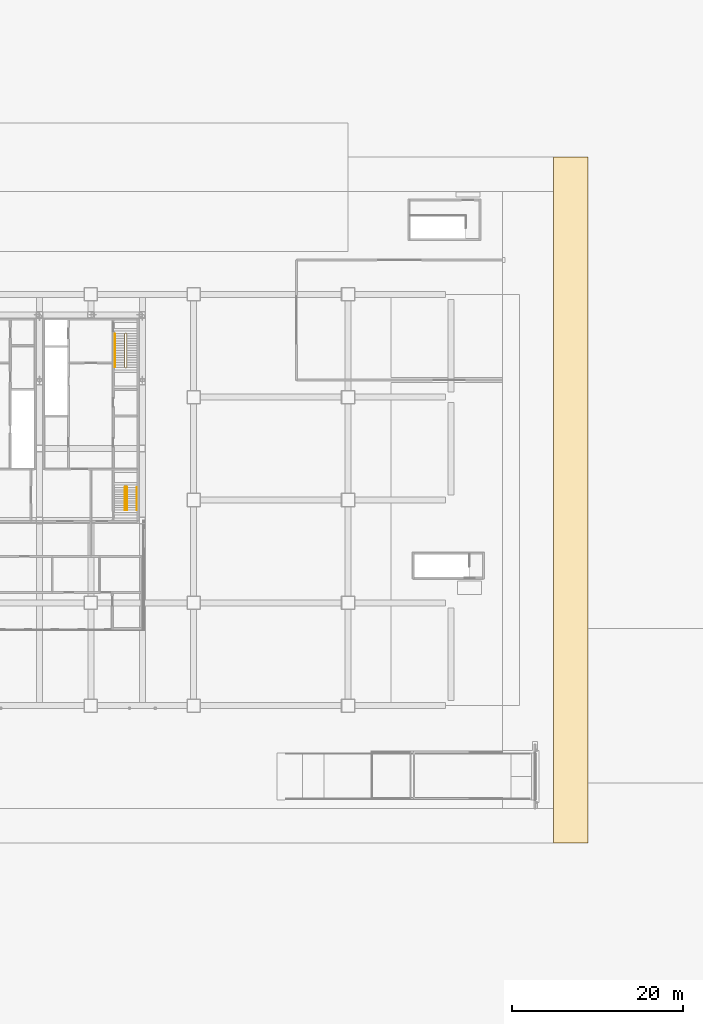
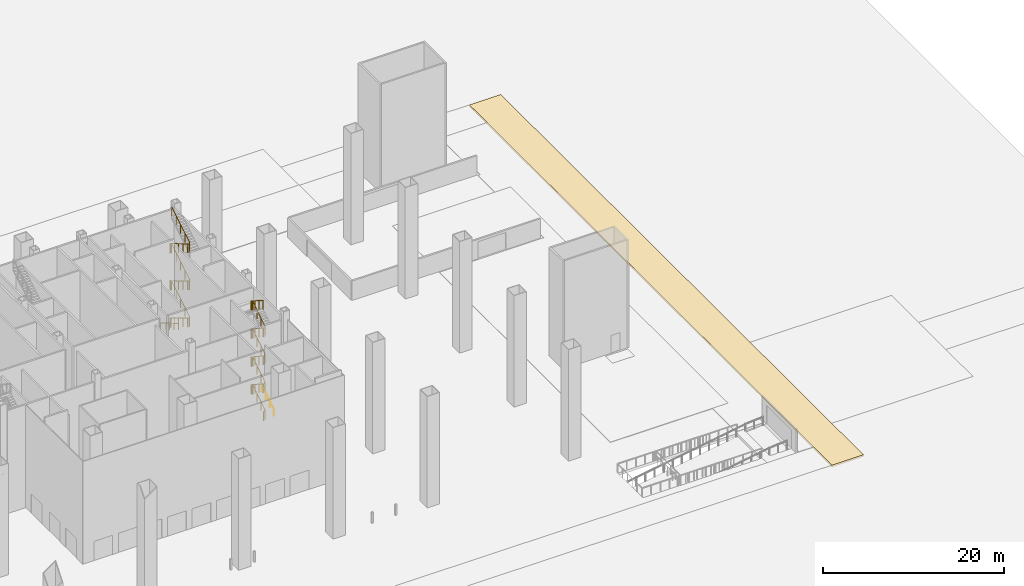
# One storey, part 19 of 22: 7 railings, 1 covering.
"""IFC4 building model written with IfcOpenShell, lengths in metres."""

from ifc_helpers import new_model, si_unit, direction, frame, origin, origin_2d, place, context, subcontext, project, spatial, polyline, circle, outline, extrude, material, layer, layer_set, type_object, element, save


model = new_model("IFC4")

# Units and contexts
model_context = context("Model", 3, precision=1e-05, world=origin(), true_north=direction((0.0, 1.0)))
body_context = subcontext(model_context, "Body", "Model", "MODEL_VIEW")
ifc_project = project(units=[si_unit("LENGTHUNIT", "METRE"), si_unit("AREAUNIT", "SQUARE_METRE"), si_unit("VOLUMEUNIT", "CUBIC_METRE"), si_unit("PLANEANGLEUNIT", "RADIAN"), si_unit("MASSUNIT", "GRAM", prefix="KILO")], contexts=[model_context])

# Site, building, storey
site_placement = place(None, origin())
site = spatial("IfcSite", under=ifc_project, at=site_placement, CompositionType="ELEMENT")
building_placement = place(site_placement, origin())
building = spatial("IfcBuilding", under=site, at=building_placement, Name="Sorahane Residences", CompositionType="ELEMENT")
storey_placement = place(building_placement, origin())
storey = spatial("IfcBuildingStorey", under=building, at=storey_placement, Name="L00", CompositionType="ELEMENT", Elevation=0.0)

# Covering
ifc_material_1 = material(Name="Concrete paving on compacted granular sub-base", Category="concrete")
ifc_layer = layer(ifc_material_1, 0.25)
ifc_layer_set = layer_set([ifc_layer], Name="Fire lane paving concrete 250")
covering_type = type_object("IfcCoveringType", Name="Fire lane paving concrete 250", PredefinedType="USERDEFINED", material=ifc_layer_set)
covering_placement = place(storey_placement, frame((0.0, 0.0, -0.25)))
element("IfcCovering", 1, at=covering_placement, inside=storey, type_object=covering_type, Name="Fire lane east", ObjectType="PAVING", PredefinedType="USERDEFINED", context=body_context, shape_type="SweptSolid", body=[
    extrude(outline(polyline([(94.0, -16.0), (94.0, 64.0), (90.0, 64.0), (90.0, -16.0), (94.0, -16.0)])), origin(), (0.0, 0.0, 1.0), 0.25),
])

# Railings
ifc_material_2 = material(Name="Steel Q355B", Category="steel")
railing_type_1 = type_object("IfcRailingType", Name="Stair guard 1200 Steel Q355B", PredefinedType="GUARDRAIL", material=ifc_material_2)
railing_1_placement = place(storey_placement, frame((40.14990234375, 43.449951171875, 0.0)))
element("IfcRailing", 2, at=railing_1_placement, inside=storey, type_object=railing_type_1, Name="L00 S2 stair guard 1", PredefinedType="GUARDRAIL", context=body_context, shape_type="SweptSolid", body=[
    extrude(circle(Radius=0.02392578125, at=origin_2d()), frame((0.0, 0.0, 1.17578125), z_axis=(-1.0, 0.0, 0.0), x_axis=(0.0, -1.0, 0.0)), (0.0, 0.0, 1.0), 0.14990234375),
    extrude(circle(Radius=0.02392578125, at=origin_2d()), frame((-0.14990234375, 0.0, 1.17578125), z_axis=(-0.27628659633, -0.27628659633, 0.920506074601), x_axis=(0.707106781187, -0.707106781187, 0.0)), (0.0, 0.0, 1.0), 0.18115234375),
    extrude(circle(Radius=0.02392578125, at=origin_2d()), frame((-0.199951171875, -0.050048828125, 1.3427734375), z_axis=(0.0, -0.859296244711, 0.511478214419), x_axis=(1.0, 0.0, 0.0)), (0.0, 0.0, 1.0), 4.561767578125),
    extrude(circle(Radius=0.02392578125, at=origin_2d()), frame((-0.199951171875, -3.969970703125, 3.67578125), z_axis=(0.707106781187, -0.707106781187, 0.0), x_axis=(0.707106781187, 0.707106781187, 0.0)), (0.0, 0.0, 1.0), 0.07080078125),
    extrude(circle(Radius=0.02392578125, at=origin_2d()), frame((-0.14990234375, -4.02001953125, 3.67578125), z_axis=(1.0, 0.0, 0.0), x_axis=(0.0, 1.0, 0.0)), (0.0, 0.0, 1.0), 0.14990234375),
    extrude(circle(Radius=0.02392578125, at=origin_2d()), frame((0.0, -4.02001953125, 3.67578125), z_axis=(0.27628659633, 0.27628659633, 0.920506074601), x_axis=(-0.707106781187, 0.707106781187, 0.0)), (0.0, 0.0, 1.0), 0.18115234375),
    extrude(circle(Radius=0.02392578125, at=origin_2d()), frame((0.050048828125, -3.969970703125, 3.8427734375), z_axis=(0.0, 0.859296244711, 0.511478214419), x_axis=(-1.0, 0.0, 0.0)), (0.0, 0.0, 1.0), 4.561767578125),
    extrude(circle(Radius=0.02392578125, at=origin_2d()), frame((0.050048828125, -0.050048828125, 6.17578125), z_axis=(-0.707106781187, 0.707106781187, 0.0), x_axis=(-0.707106781187, -0.707106781187, 0.0)), (0.0, 0.0, 1.0), 0.07080078125),
    extrude(circle(Radius=0.02392578125, at=origin_2d()), frame((0.0, 0.0, 6.17578125), z_axis=(-1.0, 0.0, 0.0), x_axis=(0.0, -1.0, 0.0)), (0.0, 0.0, 1.0), 0.14990234375),
    extrude(circle(Radius=0.02392578125, at=origin_2d()), frame((-0.14990234375, 0.0, 6.17578125), z_axis=(-0.27628659633, -0.27628659633, 0.920506074601), x_axis=(0.707106781187, -0.707106781187, 0.0)), (0.0, 0.0, 1.0), 0.18115234375),
    extrude(circle(Radius=0.02392578125, at=origin_2d()), frame((-0.199951171875, -0.050048828125, 6.3427734375), z_axis=(0.0, -0.859296244711, 0.511478214419), x_axis=(1.0, 0.0, 0.0)), (0.0, 0.0, 1.0), 4.561767578125),
    extrude(circle(Radius=0.02392578125, at=origin_2d()), frame((-0.199951171875, -3.969970703125, 8.67578125), z_axis=(0.707106781187, -0.707106781187, 0.0), x_axis=(0.707106781187, 0.707106781187, 0.0)), (0.0, 0.0, 1.0), 0.07080078125),
    extrude(circle(Radius=0.02392578125, at=origin_2d()), frame((-0.14990234375, -4.02001953125, 8.67578125), z_axis=(1.0, 0.0, 0.0), x_axis=(0.0, 1.0, 0.0)), (0.0, 0.0, 1.0), 0.14990234375),
    extrude(circle(Radius=0.02392578125, at=origin_2d()), frame((0.0, -4.02001953125, 8.67578125), z_axis=(0.27628659633, 0.27628659633, 0.920506074601), x_axis=(-0.707106781187, 0.707106781187, 0.0)), (0.0, 0.0, 1.0), 0.18115234375),
    extrude(circle(Radius=0.02392578125, at=origin_2d()), frame((0.050048828125, -3.969970703125, 8.8427734375), z_axis=(0.0, 0.859296244711, 0.511478214419), x_axis=(-1.0, 0.0, 0.0)), (0.0, 0.0, 1.0), 4.561767578125),
    extrude(circle(Radius=0.02392578125, at=origin_2d()), frame((0.050048828125, -0.050048828125, 11.17578125), z_axis=(-0.707106781187, 0.707106781187, 0.0), x_axis=(-0.707106781187, -0.707106781187, 0.0)), (0.0, 0.0, 1.0), 0.07080078125),
    extrude(circle(Radius=0.02392578125, at=origin_2d()), frame((0.0, 0.0, 11.17578125), z_axis=(-1.0, 0.0, 0.0), x_axis=(0.0, -1.0, 0.0)), (0.0, 0.0, 1.0), 0.14990234375),
    extrude(circle(Radius=0.02392578125, at=origin_2d()), frame((-0.14990234375, 0.0, 11.17578125), z_axis=(-0.27628659633, -0.27628659633, 0.920506074601), x_axis=(0.707106781187, -0.707106781187, 0.0)), (0.0, 0.0, 1.0), 0.18115234375),
    extrude(circle(Radius=0.02392578125, at=origin_2d()), frame((-0.199951171875, -0.050048828125, 11.3427734375), z_axis=(0.0, -0.859296244711, 0.511478214419), x_axis=(1.0, 0.0, 0.0)), (0.0, 0.0, 1.0), 4.561767578125),
    extrude(circle(Radius=0.02392578125, at=origin_2d()), frame((-0.199951171875, -3.969970703125, 13.67578125), z_axis=(0.707106781187, -0.707106781187, 0.0), x_axis=(0.707106781187, 0.707106781187, 0.0)), (0.0, 0.0, 1.0), 0.07080078125),
    extrude(circle(Radius=0.02392578125, at=origin_2d()), frame((-0.14990234375, -4.02001953125, 13.67578125), z_axis=(1.0, 0.0, 0.0), x_axis=(0.0, 1.0, 0.0)), (0.0, 0.0, 1.0), 0.14990234375),
    extrude(circle(Radius=0.02392578125, at=origin_2d()), frame((0.0, -4.02001953125, 13.67578125), z_axis=(0.27628659633, 0.27628659633, 0.920506074601), x_axis=(-0.707106781187, 0.707106781187, 0.0)), (0.0, 0.0, 1.0), 0.18115234375),
    extrude(circle(Radius=0.02392578125, at=origin_2d()), frame((0.050048828125, -3.969970703125, 13.8427734375), z_axis=(0.0, 0.859296244711, 0.511478214419), x_axis=(-1.0, 0.0, 0.0)), (0.0, 0.0, 1.0), 4.561767578125),
    extrude(circle(Radius=0.02099609375, at=origin_2d()), origin(), (0.0, 0.0, 1.0), 1.15185546875),
    extrude(circle(Radius=0.02099609375, at=origin_2d()), frame((-0.14990234375, 0.0, 0.0)), (0.0, 0.0, 1.0), 1.15185546875),
    extrude(circle(Radius=0.02099609375, at=origin_2d()), frame((-0.199951171875, -0.050048828125, 0.166748046875)), (0.0, 0.0, 1.0), 1.15185546875),
    extrude(circle(Radius=0.02099609375, at=origin_2d()), frame((-0.199951171875, -1.030029296875, 0.75)), (0.0, 0.0, 1.0), 1.15185546875),
    extrude(circle(Radius=0.02099609375, at=origin_2d()), frame((-0.199951171875, -2.010009765625, 1.33349609375)), (0.0, 0.0, 1.0), 1.15185546875),
    extrude(circle(Radius=0.02099609375, at=origin_2d()), frame((-0.199951171875, -2.989990234375, 1.916748046875)), (0.0, 0.0, 1.0), 1.15185546875),
    extrude(circle(Radius=0.02099609375, at=origin_2d()), frame((-0.199951171875, -3.969970703125, 2.5)), (0.0, 0.0, 1.0), 1.15185546875),
    extrude(circle(Radius=0.02099609375, at=origin_2d()), frame((-0.14990234375, -4.02001953125, 2.5)), (0.0, 0.0, 1.0), 1.15185546875),
    extrude(circle(Radius=0.02099609375, at=origin_2d()), frame((0.0, -4.02001953125, 2.5)), (0.0, 0.0, 1.0), 1.15185546875),
    extrude(circle(Radius=0.02099609375, at=origin_2d()), frame((0.050048828125, -3.969970703125, 2.666748046875)), (0.0, 0.0, 1.0), 1.15185546875),
    extrude(circle(Radius=0.02099609375, at=origin_2d()), frame((0.050048828125, -2.989990234375, 3.25)), (0.0, 0.0, 1.0), 1.15185546875),
    extrude(circle(Radius=0.02099609375, at=origin_2d()), frame((0.050048828125, -2.010009765625, 3.83349609375)), (0.0, 0.0, 1.0), 1.15185546875),
    extrude(circle(Radius=0.02099609375, at=origin_2d()), frame((0.050048828125, -1.030029296875, 4.416748046875)), (0.0, 0.0, 1.0), 1.15185546875),
    extrude(circle(Radius=0.02099609375, at=origin_2d()), frame((0.050048828125, -0.050048828125, 5.0)), (0.0, 0.0, 1.0), 1.15185546875),
    extrude(circle(Radius=0.02099609375, at=origin_2d()), frame((0.0, 0.0, 5.0)), (0.0, 0.0, 1.0), 1.15185546875),
    extrude(circle(Radius=0.02099609375, at=origin_2d()), frame((-0.14990234375, 0.0, 5.0)), (0.0, 0.0, 1.0), 1.15185546875),
    extrude(circle(Radius=0.02099609375, at=origin_2d()), frame((-0.199951171875, -0.050048828125, 5.166748046875)), (0.0, 0.0, 1.0), 1.15185546875),
    extrude(circle(Radius=0.02099609375, at=origin_2d()), frame((-0.199951171875, -1.030029296875, 5.75)), (0.0, 0.0, 1.0), 1.15185546875),
    extrude(circle(Radius=0.02099609375, at=origin_2d()), frame((-0.199951171875, -2.010009765625, 6.33349609375)), (0.0, 0.0, 1.0), 1.15185546875),
    extrude(circle(Radius=0.02099609375, at=origin_2d()), frame((-0.199951171875, -2.989990234375, 6.916748046875)), (0.0, 0.0, 1.0), 1.15185546875),
    extrude(circle(Radius=0.02099609375, at=origin_2d()), frame((-0.199951171875, -3.969970703125, 7.5)), (0.0, 0.0, 1.0), 1.15185546875),
    extrude(circle(Radius=0.02099609375, at=origin_2d()), frame((-0.14990234375, -4.02001953125, 7.5)), (0.0, 0.0, 1.0), 1.15185546875),
    extrude(circle(Radius=0.02099609375, at=origin_2d()), frame((0.0, -4.02001953125, 7.5)), (0.0, 0.0, 1.0), 1.15185546875),
    extrude(circle(Radius=0.02099609375, at=origin_2d()), frame((0.050048828125, -3.969970703125, 7.666748046875)), (0.0, 0.0, 1.0), 1.15185546875),
    extrude(circle(Radius=0.02099609375, at=origin_2d()), frame((0.050048828125, -2.989990234375, 8.25)), (0.0, 0.0, 1.0), 1.15185546875),
    extrude(circle(Radius=0.02099609375, at=origin_2d()), frame((0.050048828125, -2.010009765625, 8.83349609375)), (0.0, 0.0, 1.0), 1.15185546875),
    extrude(circle(Radius=0.02099609375, at=origin_2d()), frame((0.050048828125, -1.030029296875, 9.416748046875)), (0.0, 0.0, 1.0), 1.15185546875),
    extrude(circle(Radius=0.02099609375, at=origin_2d()), frame((0.050048828125, -0.050048828125, 10.0)), (0.0, 0.0, 1.0), 1.15185546875),
    extrude(circle(Radius=0.02099609375, at=origin_2d()), frame((0.0, 0.0, 10.0)), (0.0, 0.0, 1.0), 1.15185546875),
    extrude(circle(Radius=0.02099609375, at=origin_2d()), frame((-0.14990234375, 0.0, 10.0)), (0.0, 0.0, 1.0), 1.15185546875),
    extrude(circle(Radius=0.02099609375, at=origin_2d()), frame((-0.199951171875, -0.050048828125, 10.166748046875)), (0.0, 0.0, 1.0), 1.15185546875),
    extrude(circle(Radius=0.02099609375, at=origin_2d()), frame((-0.199951171875, -1.030029296875, 10.75)), (0.0, 0.0, 1.0), 1.15185546875),
    extrude(circle(Radius=0.02099609375, at=origin_2d()), frame((-0.199951171875, -2.010009765625, 11.33349609375)), (0.0, 0.0, 1.0), 1.15185546875),
    extrude(circle(Radius=0.02099609375, at=origin_2d()), frame((-0.199951171875, -2.989990234375, 11.916748046875)), (0.0, 0.0, 1.0), 1.15185546875),
    extrude(circle(Radius=0.02099609375, at=origin_2d()), frame((-0.199951171875, -3.969970703125, 12.5)), (0.0, 0.0, 1.0), 1.15185546875),
    extrude(circle(Radius=0.02099609375, at=origin_2d()), frame((-0.14990234375, -4.02001953125, 12.5)), (0.0, 0.0, 1.0), 1.15185546875),
    extrude(circle(Radius=0.02099609375, at=origin_2d()), frame((0.0, -4.02001953125, 12.5)), (0.0, 0.0, 1.0), 1.15185546875),
    extrude(circle(Radius=0.02099609375, at=origin_2d()), frame((0.050048828125, -3.969970703125, 12.666748046875)), (0.0, 0.0, 1.0), 1.15185546875),
    extrude(circle(Radius=0.02099609375, at=origin_2d()), frame((0.050048828125, -2.989990234375, 13.25)), (0.0, 0.0, 1.0), 1.15185546875),
    extrude(circle(Radius=0.02099609375, at=origin_2d()), frame((0.050048828125, -2.010009765625, 13.83349609375)), (0.0, 0.0, 1.0), 1.15185546875),
    extrude(circle(Radius=0.02099609375, at=origin_2d()), frame((0.050048828125, -1.030029296875, 14.416748046875)), (0.0, 0.0, 1.0), 1.15185546875),
    extrude(circle(Radius=0.02099609375, at=origin_2d()), frame((0.050048828125, -0.050048828125, 15.0)), (0.0, 0.0, 1.0), 1.15185546875),
])
railing_2_placement = place(storey_placement, frame((40.0, 22.800048828125, 0.0)))
element("IfcRailing", 3, at=railing_2_placement, inside=storey, type_object=railing_type_1, Name="L00 S5 stair guard 1", PredefinedType="GUARDRAIL", context=body_context, shape_type="SweptSolid", body=[
    extrude(circle(Radius=0.02392578125, at=origin_2d()), frame((0.0, 0.0, 1.17578125), z_axis=(1.0, 0.0, 0.0), x_axis=(0.0, 1.0, 0.0)), (0.0, 0.0, 1.0), 0.14990234375),
    extrude(circle(Radius=0.02392578125, at=origin_2d()), frame((0.14990234375, 0.0, 1.17578125), z_axis=(0.271230943075, 0.271230943075, 0.923508284228), x_axis=(-0.707106781187, 0.707106781187, 0.0)), (0.0, 0.0, 1.0), 0.1845703125),
    extrude(circle(Radius=0.02392578125, at=origin_2d()), frame((0.199951171875, 0.050048828125, 1.34619140625), z_axis=(0.0, 0.836278606002, 0.548304744775), x_axis=(-1.0, 0.0, 0.0)), (0.0, 0.0, 1.0), 3.10888671875),
    extrude(circle(Radius=0.02392578125, at=origin_2d()), frame((0.199951171875, 2.64990234375, 3.05078125), z_axis=(-0.707106781187, 0.707106781187, 0.0), x_axis=(-0.707106781187, -0.707106781187, 0.0)), (0.0, 0.0, 1.0), 0.07080078125),
    extrude(circle(Radius=0.02392578125, at=origin_2d()), frame((0.14990234375, 2.699951171875, 3.05078125), z_axis=(-1.0, 0.0, 0.0), x_axis=(0.0, -1.0, 0.0)), (0.0, 0.0, 1.0), 0.14990234375),
    extrude(circle(Radius=0.02392578125, at=origin_2d()), frame((0.0, 2.699951171875, 3.05078125), z_axis=(-0.271230943075, -0.271230943075, 0.923508284228), x_axis=(0.707106781187, -0.707106781187, 0.0)), (0.0, 0.0, 1.0), 0.1845703125),
    extrude(circle(Radius=0.02392578125, at=origin_2d()), frame((-0.050048828125, 2.64990234375, 3.22119140625), z_axis=(0.0, -0.836278606002, 0.548304744775), x_axis=(1.0, 0.0, 0.0)), (0.0, 0.0, 1.0), 3.10888671875),
    extrude(circle(Radius=0.02099609375, at=origin_2d()), origin(), (0.0, 0.0, 1.0), 1.15185546875),
    extrude(circle(Radius=0.02099609375, at=origin_2d()), frame((0.14990234375, 0.0, 0.0)), (0.0, 0.0, 1.0), 1.15185546875),
    extrude(circle(Radius=0.02099609375, at=origin_2d()), frame((0.199951171875, 0.050048828125, 0.17041015625)), (0.0, 0.0, 1.0), 1.15185546875),
    extrude(circle(Radius=0.02099609375, at=origin_2d()), frame((0.199951171875, 0.916748046875, 0.738525390625)), (0.0, 0.0, 1.0), 1.15185546875),
    extrude(circle(Radius=0.02099609375, at=origin_2d()), frame((0.199951171875, 1.783203125, 1.306884765625)), (0.0, 0.0, 1.0), 1.15185546875),
    extrude(circle(Radius=0.02099609375, at=origin_2d()), frame((0.199951171875, 2.64990234375, 1.875)), (0.0, 0.0, 1.0), 1.15185546875),
    extrude(circle(Radius=0.02099609375, at=origin_2d()), frame((0.14990234375, 2.699951171875, 1.875)), (0.0, 0.0, 1.0), 1.15185546875),
    extrude(circle(Radius=0.02099609375, at=origin_2d()), frame((0.0, 2.699951171875, 1.875)), (0.0, 0.0, 1.0), 1.15185546875),
    extrude(circle(Radius=0.02099609375, at=origin_2d()), frame((-0.050048828125, 2.64990234375, 2.04541015625)), (0.0, 0.0, 1.0), 1.15185546875),
    extrude(circle(Radius=0.02099609375, at=origin_2d()), frame((-0.050048828125, 1.783203125, 2.613525390625)), (0.0, 0.0, 1.0), 1.15185546875),
    extrude(circle(Radius=0.02099609375, at=origin_2d()), frame((-0.050048828125, 0.916748046875, 3.181884765625)), (0.0, 0.0, 1.0), 1.15185546875),
    extrude(circle(Radius=0.02099609375, at=origin_2d()), frame((-0.050048828125, 0.050048828125, 3.75)), (0.0, 0.0, 1.0), 1.15185546875),
])
railing_3_placement = place(storey_placement, frame((40.0, 22.800048828125, 3.75)))
element("IfcRailing", 4, at=railing_3_placement, inside=storey, type_object=railing_type_1, Name="L00 S5 stair guard 2", PredefinedType="GUARDRAIL", context=body_context, shape_type="SweptSolid", body=[
    extrude(circle(Radius=0.02392578125, at=origin_2d()), frame((0.0, 0.0, 1.17578125), z_axis=(1.0, 0.0, 0.0), x_axis=(0.0, 1.0, 0.0)), (0.0, 0.0, 1.0), 0.14990234375),
    extrude(circle(Radius=0.02392578125, at=origin_2d()), frame((0.14990234375, 0.0, 1.17578125), z_axis=(0.271230943075, 0.271230943075, 0.923508284228), x_axis=(-0.707106781187, 0.707106781187, 0.0)), (0.0, 0.0, 1.0), 0.1845703125),
    extrude(circle(Radius=0.02392578125, at=origin_2d()), frame((0.199951171875, 0.050048828125, 1.34619140625), z_axis=(0.0, 0.836278606002, 0.548304744775), x_axis=(-1.0, 0.0, 0.0)), (0.0, 0.0, 1.0), 3.10888671875),
    extrude(circle(Radius=0.02392578125, at=origin_2d()), frame((0.199951171875, 2.64990234375, 3.05078125), z_axis=(-0.707106781187, 0.707106781187, 0.0), x_axis=(-0.707106781187, -0.707106781187, 0.0)), (0.0, 0.0, 1.0), 0.07080078125),
    extrude(circle(Radius=0.02392578125, at=origin_2d()), frame((0.14990234375, 2.699951171875, 3.05078125), z_axis=(-1.0, 0.0, 0.0), x_axis=(0.0, -1.0, 0.0)), (0.0, 0.0, 1.0), 0.14990234375),
    extrude(circle(Radius=0.02392578125, at=origin_2d()), frame((0.0, 2.699951171875, 3.05078125), z_axis=(-0.271230943075, -0.271230943075, 0.923508284228), x_axis=(0.707106781187, -0.707106781187, 0.0)), (0.0, 0.0, 1.0), 0.1845703125),
    extrude(circle(Radius=0.02392578125, at=origin_2d()), frame((-0.050048828125, 2.64990234375, 3.22119140625), z_axis=(0.0, -0.836278606002, 0.548304744775), x_axis=(1.0, 0.0, 0.0)), (0.0, 0.0, 1.0), 3.10888671875),
    extrude(circle(Radius=0.02099609375, at=origin_2d()), origin(), (0.0, 0.0, 1.0), 1.15185546875),
    extrude(circle(Radius=0.02099609375, at=origin_2d()), frame((0.14990234375, 0.0, 0.0)), (0.0, 0.0, 1.0), 1.15185546875),
    extrude(circle(Radius=0.02099609375, at=origin_2d()), frame((0.199951171875, 0.050048828125, 0.17041015625)), (0.0, 0.0, 1.0), 1.15185546875),
    extrude(circle(Radius=0.02099609375, at=origin_2d()), frame((0.199951171875, 0.916748046875, 0.738525390625)), (0.0, 0.0, 1.0), 1.15185546875),
    extrude(circle(Radius=0.02099609375, at=origin_2d()), frame((0.199951171875, 1.783203125, 1.306884765625)), (0.0, 0.0, 1.0), 1.15185546875),
    extrude(circle(Radius=0.02099609375, at=origin_2d()), frame((0.199951171875, 2.64990234375, 1.875)), (0.0, 0.0, 1.0), 1.15185546875),
    extrude(circle(Radius=0.02099609375, at=origin_2d()), frame((0.14990234375, 2.699951171875, 1.875)), (0.0, 0.0, 1.0), 1.15185546875),
    extrude(circle(Radius=0.02099609375, at=origin_2d()), frame((0.0, 2.699951171875, 1.875)), (0.0, 0.0, 1.0), 1.15185546875),
    extrude(circle(Radius=0.02099609375, at=origin_2d()), frame((-0.050048828125, 2.64990234375, 2.04541015625)), (0.0, 0.0, 1.0), 1.15185546875),
    extrude(circle(Radius=0.02099609375, at=origin_2d()), frame((-0.050048828125, 1.783203125, 2.613525390625)), (0.0, 0.0, 1.0), 1.15185546875),
    extrude(circle(Radius=0.02099609375, at=origin_2d()), frame((-0.050048828125, 0.916748046875, 3.181884765625)), (0.0, 0.0, 1.0), 1.15185546875),
    extrude(circle(Radius=0.02099609375, at=origin_2d()), frame((-0.050048828125, 0.050048828125, 3.75)), (0.0, 0.0, 1.0), 1.15185546875),
])
railing_4_placement = place(storey_placement, frame((40.0, 22.800048828125, 7.5)))
element("IfcRailing", 5, at=railing_4_placement, inside=storey, type_object=railing_type_1, Name="L00 S5 stair guard 3", PredefinedType="GUARDRAIL", context=body_context, shape_type="SweptSolid", body=[
    extrude(circle(Radius=0.02392578125, at=origin_2d()), frame((0.0, 0.0, 1.17578125), z_axis=(1.0, 0.0, 0.0), x_axis=(0.0, 1.0, 0.0)), (0.0, 0.0, 1.0), 0.14990234375),
    extrude(circle(Radius=0.02392578125, at=origin_2d()), frame((0.14990234375, 0.0, 1.17578125), z_axis=(0.271230943075, 0.271230943075, 0.923508284228), x_axis=(-0.707106781187, 0.707106781187, 0.0)), (0.0, 0.0, 1.0), 0.1845703125),
    extrude(circle(Radius=0.02392578125, at=origin_2d()), frame((0.199951171875, 0.050048828125, 1.34619140625), z_axis=(0.0, 0.836278606002, 0.548304744775), x_axis=(-1.0, 0.0, 0.0)), (0.0, 0.0, 1.0), 3.10888671875),
    extrude(circle(Radius=0.02392578125, at=origin_2d()), frame((0.199951171875, 2.64990234375, 3.05078125), z_axis=(-0.707106781187, 0.707106781187, 0.0), x_axis=(-0.707106781187, -0.707106781187, 0.0)), (0.0, 0.0, 1.0), 0.07080078125),
    extrude(circle(Radius=0.02392578125, at=origin_2d()), frame((0.14990234375, 2.699951171875, 3.05078125), z_axis=(-1.0, 0.0, 0.0), x_axis=(0.0, -1.0, 0.0)), (0.0, 0.0, 1.0), 0.14990234375),
    extrude(circle(Radius=0.02392578125, at=origin_2d()), frame((0.0, 2.699951171875, 3.05078125), z_axis=(-0.271230943075, -0.271230943075, 0.923508284228), x_axis=(0.707106781187, -0.707106781187, 0.0)), (0.0, 0.0, 1.0), 0.1845703125),
    extrude(circle(Radius=0.02392578125, at=origin_2d()), frame((-0.050048828125, 2.64990234375, 3.22119140625), z_axis=(0.0, -0.836278606002, 0.548304744775), x_axis=(1.0, 0.0, 0.0)), (0.0, 0.0, 1.0), 3.10888671875),
    extrude(circle(Radius=0.02099609375, at=origin_2d()), origin(), (0.0, 0.0, 1.0), 1.15185546875),
    extrude(circle(Radius=0.02099609375, at=origin_2d()), frame((0.14990234375, 0.0, 0.0)), (0.0, 0.0, 1.0), 1.15185546875),
    extrude(circle(Radius=0.02099609375, at=origin_2d()), frame((0.199951171875, 0.050048828125, 0.17041015625)), (0.0, 0.0, 1.0), 1.15185546875),
    extrude(circle(Radius=0.02099609375, at=origin_2d()), frame((0.199951171875, 0.916748046875, 0.738525390625)), (0.0, 0.0, 1.0), 1.15185546875),
    extrude(circle(Radius=0.02099609375, at=origin_2d()), frame((0.199951171875, 1.783203125, 1.306884765625)), (0.0, 0.0, 1.0), 1.15185546875),
    extrude(circle(Radius=0.02099609375, at=origin_2d()), frame((0.199951171875, 2.64990234375, 1.875)), (0.0, 0.0, 1.0), 1.15185546875),
    extrude(circle(Radius=0.02099609375, at=origin_2d()), frame((0.14990234375, 2.699951171875, 1.875)), (0.0, 0.0, 1.0), 1.15185546875),
    extrude(circle(Radius=0.02099609375, at=origin_2d()), frame((0.0, 2.699951171875, 1.875)), (0.0, 0.0, 1.0), 1.15185546875),
    extrude(circle(Radius=0.02099609375, at=origin_2d()), frame((-0.050048828125, 2.64990234375, 2.04541015625)), (0.0, 0.0, 1.0), 1.15185546875),
    extrude(circle(Radius=0.02099609375, at=origin_2d()), frame((-0.050048828125, 1.783203125, 2.613525390625)), (0.0, 0.0, 1.0), 1.15185546875),
    extrude(circle(Radius=0.02099609375, at=origin_2d()), frame((-0.050048828125, 0.916748046875, 3.181884765625)), (0.0, 0.0, 1.0), 1.15185546875),
    extrude(circle(Radius=0.02099609375, at=origin_2d()), frame((-0.050048828125, 0.050048828125, 3.75)), (0.0, 0.0, 1.0), 1.15185546875),
])
railing_5_placement = place(storey_placement, frame((40.0, 22.800048828125, 11.25)))
element("IfcRailing", 6, at=railing_5_placement, inside=storey, type_object=railing_type_1, Name="L00 S5 stair guard 4", PredefinedType="GUARDRAIL", context=body_context, shape_type="SweptSolid", body=[
    extrude(circle(Radius=0.02392578125, at=origin_2d()), frame((0.0, 0.0, 1.17578125), z_axis=(1.0, 0.0, 0.0), x_axis=(0.0, 1.0, 0.0)), (0.0, 0.0, 1.0), 0.14990234375),
    extrude(circle(Radius=0.02392578125, at=origin_2d()), frame((0.14990234375, 0.0, 1.17578125), z_axis=(0.271230943075, 0.271230943075, 0.923508284228), x_axis=(-0.707106781187, 0.707106781187, 0.0)), (0.0, 0.0, 1.0), 0.1845703125),
    extrude(circle(Radius=0.02392578125, at=origin_2d()), frame((0.199951171875, 0.050048828125, 1.34619140625), z_axis=(0.0, 0.836278606002, 0.548304744775), x_axis=(-1.0, 0.0, 0.0)), (0.0, 0.0, 1.0), 3.10888671875),
    extrude(circle(Radius=0.02392578125, at=origin_2d()), frame((0.199951171875, 2.64990234375, 3.05078125), z_axis=(-0.707106781187, 0.707106781187, 0.0), x_axis=(-0.707106781187, -0.707106781187, 0.0)), (0.0, 0.0, 1.0), 0.07080078125),
    extrude(circle(Radius=0.02392578125, at=origin_2d()), frame((0.14990234375, 2.699951171875, 3.05078125), z_axis=(-1.0, 0.0, 0.0), x_axis=(0.0, -1.0, 0.0)), (0.0, 0.0, 1.0), 0.14990234375),
    extrude(circle(Radius=0.02392578125, at=origin_2d()), frame((0.0, 2.699951171875, 3.05078125), z_axis=(-0.271230943075, -0.271230943075, 0.923508284228), x_axis=(0.707106781187, -0.707106781187, 0.0)), (0.0, 0.0, 1.0), 0.1845703125),
    extrude(circle(Radius=0.02392578125, at=origin_2d()), frame((-0.050048828125, 2.64990234375, 3.22119140625), z_axis=(0.0, -0.836278606002, 0.548304744775), x_axis=(1.0, 0.0, 0.0)), (0.0, 0.0, 1.0), 3.10888671875),
    extrude(circle(Radius=0.02099609375, at=origin_2d()), origin(), (0.0, 0.0, 1.0), 1.15185546875),
    extrude(circle(Radius=0.02099609375, at=origin_2d()), frame((0.14990234375, 0.0, 0.0)), (0.0, 0.0, 1.0), 1.15185546875),
    extrude(circle(Radius=0.02099609375, at=origin_2d()), frame((0.199951171875, 0.050048828125, 0.17041015625)), (0.0, 0.0, 1.0), 1.15185546875),
    extrude(circle(Radius=0.02099609375, at=origin_2d()), frame((0.199951171875, 0.916748046875, 0.738525390625)), (0.0, 0.0, 1.0), 1.15185546875),
    extrude(circle(Radius=0.02099609375, at=origin_2d()), frame((0.199951171875, 1.783203125, 1.306884765625)), (0.0, 0.0, 1.0), 1.15185546875),
    extrude(circle(Radius=0.02099609375, at=origin_2d()), frame((0.199951171875, 2.64990234375, 1.875)), (0.0, 0.0, 1.0), 1.15185546875),
    extrude(circle(Radius=0.02099609375, at=origin_2d()), frame((0.14990234375, 2.699951171875, 1.875)), (0.0, 0.0, 1.0), 1.15185546875),
    extrude(circle(Radius=0.02099609375, at=origin_2d()), frame((0.0, 2.699951171875, 1.875)), (0.0, 0.0, 1.0), 1.15185546875),
    extrude(circle(Radius=0.02099609375, at=origin_2d()), frame((-0.050048828125, 2.64990234375, 2.04541015625)), (0.0, 0.0, 1.0), 1.15185546875),
    extrude(circle(Radius=0.02099609375, at=origin_2d()), frame((-0.050048828125, 1.783203125, 2.613525390625)), (0.0, 0.0, 1.0), 1.15185546875),
    extrude(circle(Radius=0.02099609375, at=origin_2d()), frame((-0.050048828125, 0.916748046875, 3.181884765625)), (0.0, 0.0, 1.0), 1.15185546875),
    extrude(circle(Radius=0.02099609375, at=origin_2d()), frame((-0.050048828125, 0.050048828125, 3.75)), (0.0, 0.0, 1.0), 1.15185546875),
])
ifc_material_3 = material(Name="Steel Q355B", Category="steel")
railing_type_2 = type_object("IfcRailingType", Name="Stair handrail 900 Steel Q355B", PredefinedType="HANDRAIL", material=ifc_material_3)
railing_6_placement = place(storey_placement, frame((38.800048828125, 43.39990234375, 0.166748046875)))
element("IfcRailing", 7, at=railing_6_placement, inside=storey, type_object=railing_type_2, Name="L00 S2 stair handrail 1", PredefinedType="HANDRAIL", context=body_context, shape_type="SweptSolid", body=[
    extrude(circle(Radius=0.02392578125, at=origin_2d()), frame((0.0, 0.0, 0.8759765625), z_axis=(0.0, -0.859296244711, 0.511478214419), x_axis=(1.0, 0.0, 0.0)), (0.0, 0.0, 1.0), 4.561767578125),
    extrude(circle(Radius=0.02099609375, at=origin_2d()), origin(), (0.0, 0.0, 1.0), 0.851806640625),
    extrude(circle(Radius=0.02099609375, at=origin_2d()), frame((0.0, -0.97998046875, 0.583251953125)), (0.0, 0.0, 1.0), 0.851806640625),
    extrude(circle(Radius=0.02099609375, at=origin_2d()), frame((0.0, -1.9599609375, 1.16650390625)), (0.0, 0.0, 1.0), 0.851806640625),
    extrude(circle(Radius=0.02099609375, at=origin_2d()), frame((0.0, -2.93994140625, 1.75)), (0.0, 0.0, 1.0), 0.851806640625),
    extrude(circle(Radius=0.02099609375, at=origin_2d()), frame((0.0, -3.919921875, 2.333251953125)), (0.0, 0.0, 1.0), 0.851806640625),
])
railing_7_placement = place(storey_placement, frame((41.35009765625, 22.85009765625, 0.17041015625)))
element("IfcRailing", 8, at=railing_7_placement, inside=storey, type_object=railing_type_2, Name="L00 S5 stair handrail 1", PredefinedType="HANDRAIL", context=body_context, shape_type="SweptSolid", body=[
    extrude(circle(Radius=0.02392578125, at=origin_2d()), frame((0.0, 0.0, 0.8759765625), z_axis=(0.0, 0.836278606002, 0.548304744775), x_axis=(-1.0, 0.0, 0.0)), (0.0, 0.0, 1.0), 3.10888671875),
    extrude(circle(Radius=0.02099609375, at=origin_2d()), origin(), (0.0, 0.0, 1.0), 0.851806640625),
    extrude(circle(Radius=0.02099609375, at=origin_2d()), frame((0.0, 0.86669921875, 0.568115234375)), (0.0, 0.0, 1.0), 0.851806640625),
    extrude(circle(Radius=0.02099609375, at=origin_2d()), frame((0.0, 1.733154296875, 1.136474609375)), (0.0, 0.0, 1.0), 0.851806640625),
    extrude(circle(Radius=0.02099609375, at=origin_2d()), frame((0.0, 2.599853515625, 1.70458984375)), (0.0, 0.0, 1.0), 0.851806640625),
])

save(model, "model.ifc")
